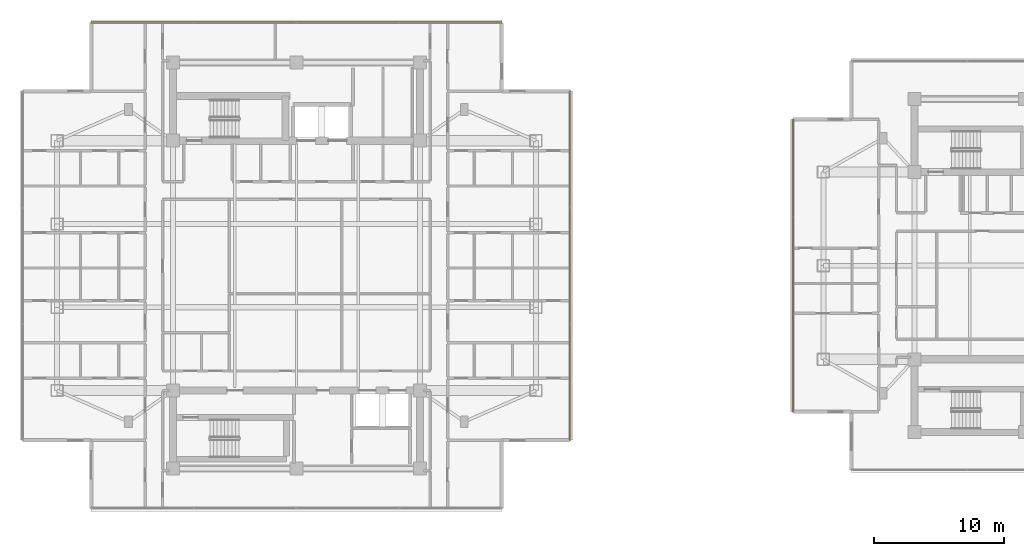
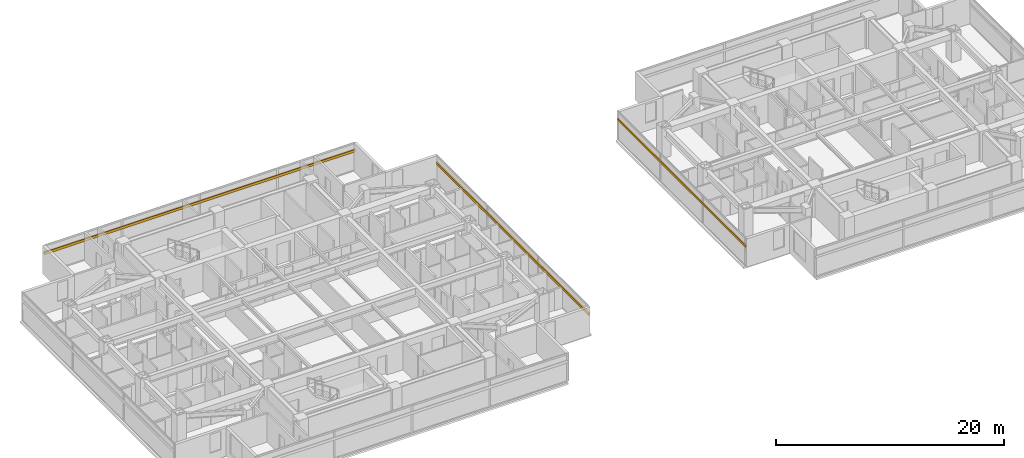
# One storey, part 23 of 26: 3 shading devices.
"""IFC4 building model written with IfcOpenShell, lengths in metres."""

import ifcopenshell
import ifcopenshell.guid

model = None  # the IFC model being written
_history = None  # IfcOwnerHistory: only IFC2X3 demands one
_inside = {}  # id of a spatial element -> (the spatial element, [elements in it])
_under = {}  # id of a project, library or spatial element -> (it, [spatial elements below it])
_declared = {}  # id of a project -> (the project, [libraries it declares])
_typed = {}  # id of a type object -> (the type object, [elements of that type])
_made_of = {}  # id of a material, layer set ... -> (it, [elements and type objects made of it])


def new_model(schema):
    """Start an empty IFC model of exactly this schema.

    Asked for "IFC4X3", IfcOpenShell would pick the latest addendum, in which some entities
    have other attributes; the version numbers below select the first issue.
    IFC2X3 requires an IfcOwnerHistory on every rooted entity: one is made here for all.
    """
    global model, _history
    if schema == "IFC4X3":
        model = ifcopenshell.file(schema_version=(4, 3, 0, 0))
    else:
        model = ifcopenshell.file(schema=schema)
    _inside.clear()
    _under.clear()
    _declared.clear()
    _typed.clear()
    _made_of.clear()
    _history = None
    if model.schema == "IFC2X3":
        org = make("IfcOrganization", Name="unknown")
        user = make(
            "IfcPersonAndOrganization",
            ThePerson=make("IfcPerson", FamilyName="unknown"),
            TheOrganization=org,
        )
        app = make(
            "IfcApplication",
            ApplicationDeveloper=org,
            Version="unknown",
            ApplicationFullName="unknown",
            ApplicationIdentifier="unknown",
        )
        _history = make(
            "IfcOwnerHistory",
            OwningUser=user,
            OwningApplication=app,
            ChangeAction="ADDED",
            CreationDate=0,
        )
    return model


def make(cls, **values):
    """One entity of the class cls with the attributes given. An attribute that is None is left unset."""
    return model.create_entity(
        cls, **{name: value for name, value in values.items() if value is not None}
    )


def rooted(cls, **values):
    """An entity with a GlobalId (a new one), such as an element, a storey or a relation."""
    return make(cls, GlobalId=ifcopenshell.guid.new(), OwnerHistory=_history, **values)


def si_unit(unit_type, name, prefix=None):
    """IfcSIUnit, for example si_unit("LENGTHUNIT", "METRE", prefix="MILLI")."""
    return make("IfcSIUnit", UnitType=unit_type, Prefix=prefix, Name=name)


def assignment(units):
    """IfcUnitAssignment: the units of a project."""
    return None if units is None else make("IfcUnitAssignment", Units=units)


def point(xyz):
    """IfcCartesianPoint."""
    return None if xyz is None else make("IfcCartesianPoint", Coordinates=xyz)


def direction(xyz):
    """IfcDirection."""
    return None if xyz is None else make("IfcDirection", DirectionRatios=xyz)


def frame(location, z_axis=None, x_axis=None):
    """IfcAxis2Placement3D, a coordinate frame: its origin and axes. An axis left out is left unset."""
    return make(
        "IfcAxis2Placement3D",
        Location=point(location),
        Axis=direction(z_axis),
        RefDirection=direction(x_axis),
    )


def frame_2d(location, x_axis=None):
    """IfcAxis2Placement2D, a coordinate frame in the plane: its origin and x axis."""
    return make(
        "IfcAxis2Placement2D", Location=point(location), RefDirection=direction(x_axis)
    )


def origin():
    """The frame at (0, 0, 0) with its axes left unset."""
    return frame((0.0, 0.0, 0.0))


def origin_2d():
    """The frame at (0, 0) in the plane with its x axis left unset."""
    return frame_2d((0.0, 0.0))


def place(relative_to, where):
    """IfcLocalPlacement: puts the frame where relative to a parent placement (None: the world)."""
    return make(
        "IfcLocalPlacement", PlacementRelTo=relative_to, RelativePlacement=where
    )


def context(
    kind, dimensions, precision=None, world=None, true_north=None, identifier=None
):
    """IfcGeometricRepresentationContext, for example the 3D "Model" context."""
    return make(
        "IfcGeometricRepresentationContext",
        ContextIdentifier=identifier,
        ContextType=kind,
        CoordinateSpaceDimension=dimensions,
        Precision=precision,
        WorldCoordinateSystem=world,
        TrueNorth=true_north,
    )


def subcontext(parent, identifier, kind, view, scale=None):
    """IfcGeometricRepresentationSubContext, for example "Body" below "Model"."""
    return make(
        "IfcGeometricRepresentationSubContext",
        ContextIdentifier=identifier,
        ContextType=kind,
        ParentContext=parent,
        TargetScale=scale,
        TargetView=view,
    )


def project(units=None, contexts=None):
    """IfcProject with its units and contexts."""
    return rooted(
        "IfcProject",
        Name="project",
        RepresentationContexts=contexts,
        UnitsInContext=assignment(units),
    )


def spatial(cls, under=None, at=None, **own):
    """A site, building, storey or space (cls), placed at a placement, below another one or the project."""
    s = rooted(cls, ObjectPlacement=at, **own)
    if under is not None:
        _under.setdefault(under.id(), (under, []))[1].append(s)
    return s


def profile(cls, at=None, kind="AREA", **sizes):
    """A parametric profile (cls). Its sizes go by their IFC names, for example OverallWidth=200.0."""
    return make(cls, ProfileType=kind, Position=at, **sizes)


def rectangle(**sizes):
    """IfcRectangleProfileDef."""
    return profile("IfcRectangleProfileDef", **sizes)


def extrude(swept, where, along, depth):
    """IfcExtrudedAreaSolid: the profile swept, set in the frame where, extruded along a direction by depth."""
    return make(
        "IfcExtrudedAreaSolid",
        SweptArea=swept,
        Position=where,
        ExtrudedDirection=direction(along),
        Depth=depth,
    )


def shape(context_of_items, identifier, shape_type, items):
    """IfcShapeRepresentation: the items that make up one representation, for example the "Body"."""
    return make(
        "IfcShapeRepresentation",
        ContextOfItems=context_of_items,
        RepresentationIdentifier=identifier,
        RepresentationType=shape_type,
        Items=items,
    )


def material(Name=None, Category=None):
    """IfcMaterial."""
    return make("IfcMaterial", Name=Name, Category=Category)


def material_profile(
    of_material, cross_section, Name=None, Category=None, Priority=None
):
    """IfcMaterialProfile: a cross section and its material."""
    return make(
        "IfcMaterialProfile",
        Name=Name,
        Material=of_material,
        Profile=cross_section,
        Priority=Priority,
        Category=Category,
    )


def profile_set(profiles, Name=None, composite=None):
    """IfcMaterialProfileSet."""
    return make(
        "IfcMaterialProfileSet",
        Name=Name,
        MaterialProfiles=profiles,
        CompositeProfile=composite,
    )


def made_of(thing, what):
    """Note that an element or type object is made of a material, layer set ...; save() writes the relation."""
    if what is not None:
        _made_of.setdefault(what.id(), (what, []))[1].append(thing)
    return thing


def type_object(cls, material=None, **own):
    """A type object (cls), such as IfcWallType, which elements share."""
    return made_of(rooted(cls, **own), material)


def element(
    cls,
    number,
    at=None,
    inside=None,
    cuts=None,
    type_object=None,
    material=None,
    context=None,
    identifier="Body",
    shape_type=None,
    held_by="IfcProductDefinitionShape",
    body=None,
    shapes=None,
    **own,
):
    """One element of the class cls, such as IfcWall. Its Tag is "e" and its number.

    at: its placement. inside: the storey or other place that contains it. cuts: it is an
    opening in that element (IfcRelVoidsElement). A single representation is given by context,
    identifier, shape_type and body (its items); several are given by shapes. held_by: the class
    of the entity that holds the representations. save() writes the other relations.
    """
    e = rooted(cls, Tag="e%d" % number, ObjectPlacement=at, **own)
    if body is not None:
        shapes = [shape(context, identifier, shape_type, body)]
    if shapes is not None:
        e.Representation = make(held_by, Representations=shapes)
    if inside is not None:
        _inside.setdefault(inside.id(), (inside, []))[1].append(e)
    if cuts is not None:
        rooted(
            "IfcRelVoidsElement", RelatingBuildingElement=cuts, RelatedOpeningElement=e
        )
    if type_object is not None:
        _typed.setdefault(type_object.id(), (type_object, []))[1].append(e)
    return made_of(e, material)


def aggregate(whole, parts):
    """IfcRelAggregates: a whole, such as a stair, and the parts it consists of."""
    return rooted("IfcRelAggregates", RelatingObject=whole, RelatedObjects=parts)


def save(model, path):
    """Write the relations noted so far, then the file.

    IfcRelAggregates (storeys below a building ...), IfcRelContainedInSpatialStructure (elements
    in a storey), IfcRelDefinesByType, IfcRelAssociatesMaterial and IfcRelDeclares: one each for
    every whole, place, type object, material and project.
    """
    for whole, parts in _under.values():
        aggregate(whole, parts)
    for where, things in _inside.values():
        rooted(
            "IfcRelContainedInSpatialStructure",
            RelatedElements=things,
            RelatingStructure=where,
        )
    for kind, things in _typed.values():
        rooted("IfcRelDefinesByType", RelatedObjects=things, RelatingType=kind)
    for what, things in _made_of.values():
        rooted("IfcRelAssociatesMaterial", RelatedObjects=things, RelatingMaterial=what)
    for by, libraries in _declared.values():
        rooted("IfcRelDeclares", RelatingContext=by, RelatedDefinitions=libraries)
    model.write(path)


model = new_model("IFC4")

# Units and contexts
model_context = context("Model", 3, precision=1e-05, world=origin(), true_north=direction((0.0, 1.0)))
body_context = subcontext(model_context, "Body", "Model", "MODEL_VIEW")
ifc_project = project(units=[si_unit("LENGTHUNIT", "METRE"), si_unit("AREAUNIT", "SQUARE_METRE"), si_unit("VOLUMEUNIT", "CUBIC_METRE"), si_unit("PLANEANGLEUNIT", "RADIAN"), si_unit("MASSUNIT", "GRAM", prefix="KILO")], contexts=[model_context])

# Site, building, storey
site_placement = place(None, origin())
site = spatial("IfcSite", under=ifc_project, at=site_placement, CompositionType="ELEMENT")
building_placement = place(site_placement, origin())
building = spatial("IfcBuilding", under=site, at=building_placement, Name="Mirazonda Arch Towers", CompositionType="ELEMENT")
storey_placement = place(building_placement, frame((0.0, 0.0, 170.64990234375)))
storey = spatial("IfcBuildingStorey", under=building, at=storey_placement, Name="L48", CompositionType="ELEMENT", Elevation=170.64990234375)

# Shading devices
ifc_material = material(Name="Kiln-Fired Architectural Terracotta", Category="masonry")
ifc_material_profile_1 = material_profile(ifc_material, rectangle(XDim=0.1201171875, YDim=0.239990234375, at=origin_2d()), Name="TERRA-BAG-120x240")
ifc_profile_set_1 = profile_set([ifc_material_profile_1], Name="Kiln-Fired Architectural Terracotta")
shading_device_type_1 = type_object("IfcShadingDeviceType", Name="BAGUETTE-1", PredefinedType="USERDEFINED", material=ifc_profile_set_1)
shading_device_1_placement = place(storey_placement, frame((58.677490234375, 39.242919921875, 2.181640625), z_axis=(0.0, -1.0, 0.0), x_axis=(1.0, 0.0, 0.0)))
element("IfcShadingDevice", 1, at=shading_device_1_placement, inside=storey, type_object=shading_device_type_1, Name="L48 Glazed Terracotta Sun-Screen Baguette CW-L48-T2-W", ObjectType="BAGUETTE", PredefinedType="USERDEFINED", context=body_context, shape_type="SweptSolid", body=[
    extrude(rectangle(XDim=0.1201171875, YDim=0.239990234375, at=origin_2d()), origin(), (0.0, 0.0, 1.0), 22.48583984375),
])
ifc_material_profile_2 = material_profile(ifc_material, rectangle(XDim=0.139892578125, YDim=0.280029296875, at=origin_2d()), Name="TERRA-BAG-140x280")
ifc_profile_set_2 = profile_set([ifc_material_profile_2], Name="Kiln-Fired Architectural Terracotta")
shading_device_type_2 = type_object("IfcShadingDeviceType", Name="BAGUETTE-3", PredefinedType="USERDEFINED", material=ifc_profile_set_2)
shading_device_2_placement = place(storey_placement, frame((41.530029296875, 14.5849609375, 2.181640625), z_axis=(0.0, 1.0, 0.0), x_axis=(-1.0, 0.0, 0.0)))
element("IfcShadingDevice", 2, at=shading_device_2_placement, inside=storey, type_object=shading_device_type_2, Name="L48 Glazed Terracotta Sun-Screen Baguette CW-L48-T1-E", ObjectType="BAGUETTE", PredefinedType="USERDEFINED", context=body_context, shape_type="SweptSolid", body=[
    extrude(rectangle(XDim=0.139892578125, YDim=0.280029296875, at=origin_2d()), origin(), (0.0, 0.0, 1.0), 26.830078125),
])
shading_device_3_placement = place(storey_placement, frame((4.715087890625, 46.659912109375, 2.181640625), z_axis=(1.0, 0.0, 0.0), x_axis=(0.0, 1.0, 0.0)))
element("IfcShadingDevice", 3, at=shading_device_3_placement, inside=storey, type_object=shading_device_type_2, Name="L48 Glazed Terracotta Sun-Screen Baguette CW-L48-T1-N", ObjectType="BAGUETTE", PredefinedType="USERDEFINED", context=body_context, shape_type="SweptSolid", body=[
    extrude(rectangle(XDim=0.139892578125, YDim=0.280029296875, at=origin_2d()), origin(), (0.0, 0.0, 1.0), 31.56982421875),
])

save(model, "model.ifc")
